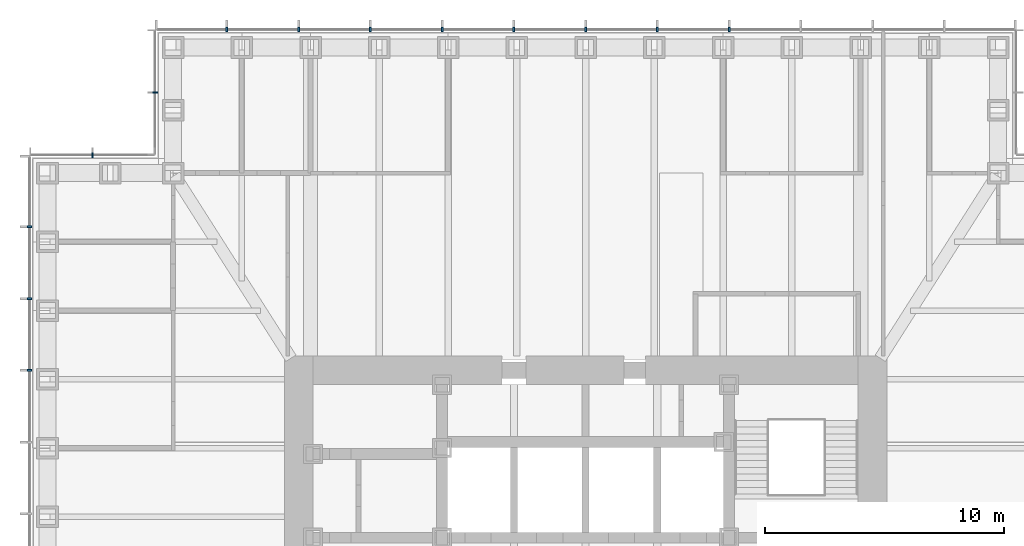
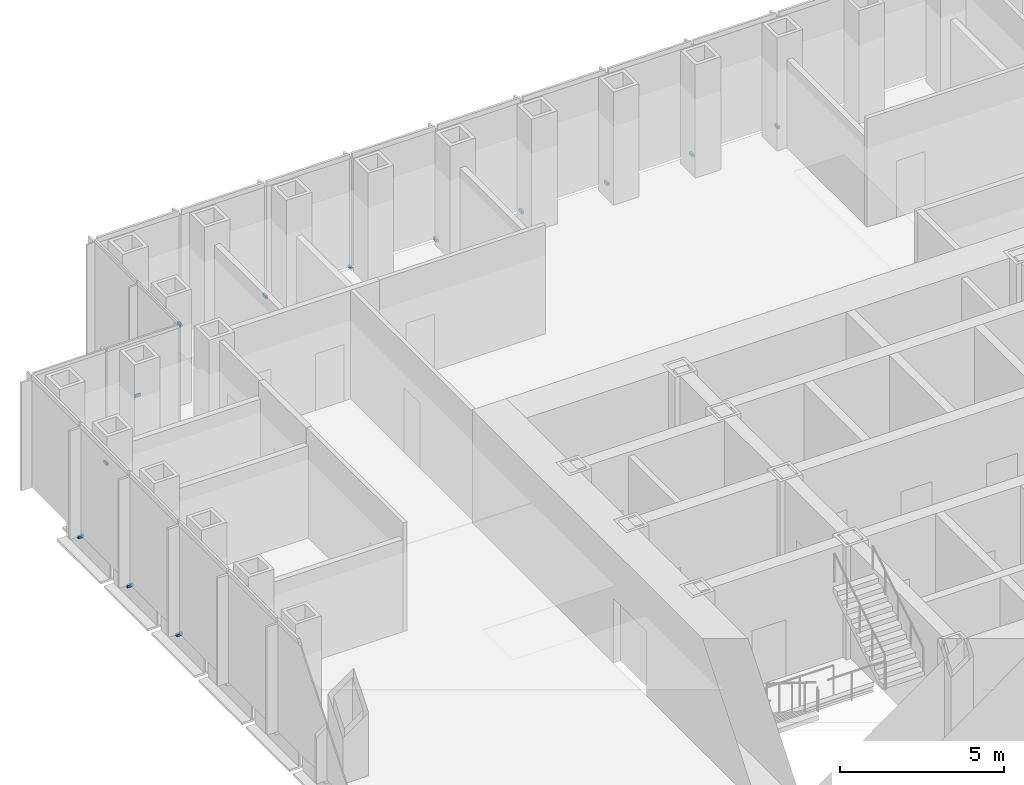
# One storey, part 15 of 17: 13 discrete accessories.
"""IFC4 building model written with IfcOpenShell, lengths in metres."""

from ifc_helpers import new_model, si_unit, direction, frame, origin, origin_2d, place, context, subcontext, project, spatial, rectangle, extrude, element, save


model = new_model("IFC4")

# Units and contexts
model_context = context("Model", 3, precision=1e-05, world=origin(), true_north=direction((0.0, 1.0)))
body_context = subcontext(model_context, "Body", "Model", "MODEL_VIEW")
ifc_project = project(units=[si_unit("LENGTHUNIT", "METRE"), si_unit("AREAUNIT", "SQUARE_METRE"), si_unit("VOLUMEUNIT", "CUBIC_METRE"), si_unit("PLANEANGLEUNIT", "RADIAN"), si_unit("MASSUNIT", "GRAM", prefix="KILO")], contexts=[model_context])

# Site, building, storey
site_placement = place(None, origin())
site = spatial("IfcSite", under=ifc_project, at=site_placement, CompositionType="ELEMENT")
building_placement = place(site_placement, origin())
building = spatial("IfcBuilding", under=site, at=building_placement, Name="Daluyong Arena Tower", CompositionType="ELEMENT")
storey_placement = place(building_placement, frame((0.0, 0.0, 145.89990234375)))
storey = spatial("IfcBuildingStorey", under=building, at=storey_placement, Name="L32", CompositionType="ELEMENT", Elevation=145.89990234375)

# Discrete accessories
for number, where, z_axis, x_axis, name in (
    (1, (62.0, 103.25, -0.099853515625), (0.0, 0.0, 1.0), (-1.0, 0.0, 0.0), "curtain wall L32 N anchor bracket 5"),
    (2, (59.0, 103.25, -0.099853515625), (0.0, 0.0, 1.0), (-1.0, 0.0, 0.0), "curtain wall L32 N anchor bracket 6"),
    (3, (56.0, 103.25, -0.099853515625), (0.0, 0.0, 1.0), (-1.0, 0.0, 0.0), "curtain wall L32 N anchor bracket 7"),
    (4, (53.0, 103.25, -0.099853515625), (0.0, 0.0, 1.0), (-1.0, 0.0, 0.0), "curtain wall L32 N anchor bracket 8"),
    (5, (50.0, 103.25, -0.099853515625), (0.0, 0.0, 1.0), (-1.0, 0.0, 0.0), "curtain wall L32 N anchor bracket 9"),
    (6, (47.0, 103.25, -0.099853515625), (0.0, 0.0, 1.0), (-1.0, 0.0, 0.0), "curtain wall L32 N anchor bracket 10"),
    (7, (44.0, 103.25, -0.099853515625), (0.0, 0.0, 1.0), (-1.0, 0.0, 0.0), "curtain wall L32 N anchor bracket 11"),
    (8, (41.0, 103.25, -0.099853515625), (0.0, 0.0, 1.0), (-1.0, 0.0, 0.0), "curtain wall L32 N anchor bracket 12"),
):
    element("IfcDiscreteAccessory", number, at=place(storey_placement, frame(where, z_axis=z_axis, x_axis=x_axis)), inside=storey, Name=name, PredefinedType="BRACKET", context=body_context, shape_type="SweptSolid", body=[
        extrude(rectangle(XDim=0.080078125, YDim=0.199951171875, at=origin_2d()), origin(), (0.0, 0.0, 1.0), 0.10009765625),
    ])
for number, where, z_axis, x_axis, name in (
    (9, (38.0, 100.625, -0.099853515625), (0.0, 0.0, 1.0), (0.0, -1.0, 0.0), "curtain wall L32 NW-W anchor bracket 2"),
    (10, (35.375, 98.0, -0.099853515625), (0.0, 0.0, 1.0), (-1.0, 0.0, 0.0), "curtain wall L32 NW-N anchor bracket 2"),
):
    element("IfcDiscreteAccessory", number, at=place(storey_placement, frame(where, z_axis=z_axis, x_axis=x_axis)), inside=storey, Name=name, PredefinedType="BRACKET", context=body_context, shape_type="SweptSolid", body=[
        extrude(rectangle(XDim=0.06005859375, YDim=0.199951171875, at=origin_2d()), origin(), (0.0, 0.0, 1.0), 0.10009765625),
    ])
for number, where, z_axis, x_axis, name in (
    (11, (32.75, 95.0, -0.099853515625), (0.0, 0.0, 1.0), (0.0, -1.0, 0.0), "curtain wall L32 W anchor bracket 2"),
    (12, (32.75, 92.0, -0.099853515625), (0.0, 0.0, 1.0), (0.0, -1.0, 0.0), "curtain wall L32 W anchor bracket 3"),
    (13, (32.75, 89.0, -0.099853515625), (0.0, 0.0, 1.0), (0.0, -1.0, 0.0), "curtain wall L32 W anchor bracket 4"),
):
    element("IfcDiscreteAccessory", number, at=place(storey_placement, frame(where, z_axis=z_axis, x_axis=x_axis)), inside=storey, Name=name, PredefinedType="BRACKET", context=body_context, shape_type="SweptSolid", body=[
        extrude(rectangle(XDim=0.080078125, YDim=0.199951171875, at=origin_2d()), origin(), (0.0, 0.0, 1.0), 0.10009765625),
    ])

save(model, "model.ifc")
